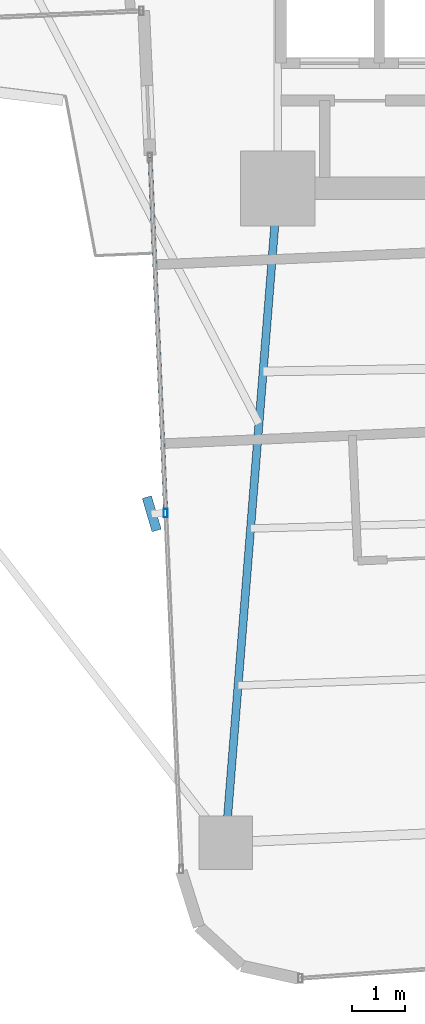
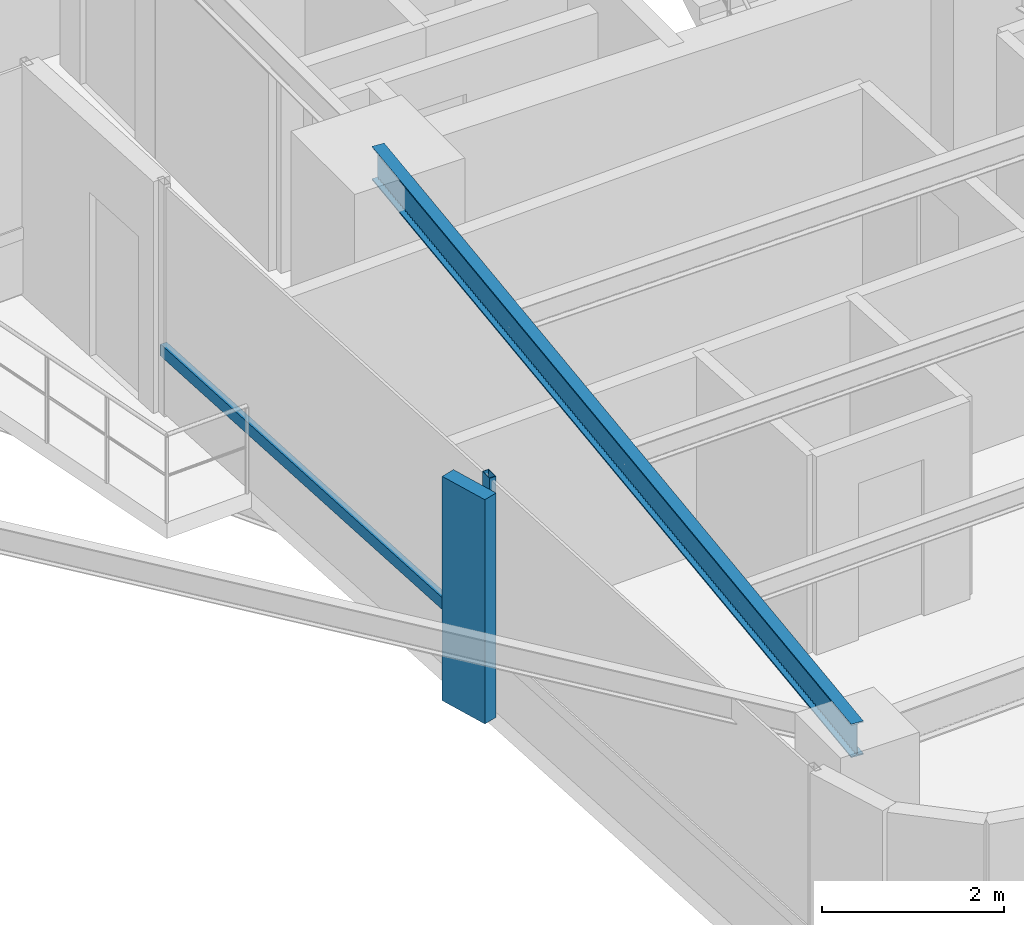
# One storey, part 4 of 26: 3 members, 1 beam, 1 element without a shape of its own.
"""IFC4 building model written with IfcOpenShell, lengths in metres."""

import ifcopenshell
import ifcopenshell.guid

model = None  # the IFC model being written
_history = None  # IfcOwnerHistory: only IFC2X3 demands one
_inside = {}  # id of a spatial element -> (the spatial element, [elements in it])
_under = {}  # id of a project, library or spatial element -> (it, [spatial elements below it])
_declared = {}  # id of a project -> (the project, [libraries it declares])
_typed = {}  # id of a type object -> (the type object, [elements of that type])
_made_of = {}  # id of a material, layer set ... -> (it, [elements and type objects made of it])


def new_model(schema):
    """Start an empty IFC model of exactly this schema.

    Asked for "IFC4X3", IfcOpenShell would pick the latest addendum, in which some entities
    have other attributes; the version numbers below select the first issue.
    IFC2X3 requires an IfcOwnerHistory on every rooted entity: one is made here for all.
    """
    global model, _history
    if schema == "IFC4X3":
        model = ifcopenshell.file(schema_version=(4, 3, 0, 0))
    else:
        model = ifcopenshell.file(schema=schema)
    _inside.clear()
    _under.clear()
    _declared.clear()
    _typed.clear()
    _made_of.clear()
    _history = None
    if model.schema == "IFC2X3":
        org = make("IfcOrganization", Name="unknown")
        user = make(
            "IfcPersonAndOrganization",
            ThePerson=make("IfcPerson", FamilyName="unknown"),
            TheOrganization=org,
        )
        app = make(
            "IfcApplication",
            ApplicationDeveloper=org,
            Version="unknown",
            ApplicationFullName="unknown",
            ApplicationIdentifier="unknown",
        )
        _history = make(
            "IfcOwnerHistory",
            OwningUser=user,
            OwningApplication=app,
            ChangeAction="ADDED",
            CreationDate=0,
        )
    return model


def make(cls, **values):
    """One entity of the class cls with the attributes given. An attribute that is None is left unset."""
    return model.create_entity(
        cls, **{name: value for name, value in values.items() if value is not None}
    )


def rooted(cls, **values):
    """An entity with a GlobalId (a new one), such as an element, a storey or a relation."""
    return make(cls, GlobalId=ifcopenshell.guid.new(), OwnerHistory=_history, **values)


def si_unit(unit_type, name, prefix=None):
    """IfcSIUnit, for example si_unit("LENGTHUNIT", "METRE", prefix="MILLI")."""
    return make("IfcSIUnit", UnitType=unit_type, Prefix=prefix, Name=name)


def assignment(units):
    """IfcUnitAssignment: the units of a project."""
    return None if units is None else make("IfcUnitAssignment", Units=units)


def point(xyz):
    """IfcCartesianPoint."""
    return None if xyz is None else make("IfcCartesianPoint", Coordinates=xyz)


def direction(xyz):
    """IfcDirection."""
    return None if xyz is None else make("IfcDirection", DirectionRatios=xyz)


def frame(location, z_axis=None, x_axis=None):
    """IfcAxis2Placement3D, a coordinate frame: its origin and axes. An axis left out is left unset."""
    return make(
        "IfcAxis2Placement3D",
        Location=point(location),
        Axis=direction(z_axis),
        RefDirection=direction(x_axis),
    )


def frame_2d(location, x_axis=None):
    """IfcAxis2Placement2D, a coordinate frame in the plane: its origin and x axis."""
    return make(
        "IfcAxis2Placement2D", Location=point(location), RefDirection=direction(x_axis)
    )


def origin():
    """The frame at (0, 0, 0) with its axes left unset."""
    return frame((0.0, 0.0, 0.0))


def origin_2d():
    """The frame at (0, 0) in the plane with its x axis left unset."""
    return frame_2d((0.0, 0.0))


def place(relative_to, where):
    """IfcLocalPlacement: puts the frame where relative to a parent placement (None: the world)."""
    return make(
        "IfcLocalPlacement", PlacementRelTo=relative_to, RelativePlacement=where
    )


def context(
    kind, dimensions, precision=None, world=None, true_north=None, identifier=None
):
    """IfcGeometricRepresentationContext, for example the 3D "Model" context."""
    return make(
        "IfcGeometricRepresentationContext",
        ContextIdentifier=identifier,
        ContextType=kind,
        CoordinateSpaceDimension=dimensions,
        Precision=precision,
        WorldCoordinateSystem=world,
        TrueNorth=true_north,
    )


def subcontext(parent, identifier, kind, view, scale=None):
    """IfcGeometricRepresentationSubContext, for example "Body" below "Model"."""
    return make(
        "IfcGeometricRepresentationSubContext",
        ContextIdentifier=identifier,
        ContextType=kind,
        ParentContext=parent,
        TargetScale=scale,
        TargetView=view,
    )


def project(units=None, contexts=None):
    """IfcProject with its units and contexts."""
    return rooted(
        "IfcProject",
        Name="project",
        RepresentationContexts=contexts,
        UnitsInContext=assignment(units),
    )


def spatial(cls, under=None, at=None, **own):
    """A site, building, storey or space (cls), placed at a placement, below another one or the project."""
    s = rooted(cls, ObjectPlacement=at, **own)
    if under is not None:
        _under.setdefault(under.id(), (under, []))[1].append(s)
    return s


def profile(cls, at=None, kind="AREA", **sizes):
    """A parametric profile (cls). Its sizes go by their IFC names, for example OverallWidth=200.0."""
    return make(cls, ProfileType=kind, Position=at, **sizes)


def rectangle(**sizes):
    """IfcRectangleProfileDef."""
    return profile("IfcRectangleProfileDef", **sizes)


def hollow_rectangle(**sizes):
    """IfcRectangleHollowProfileDef."""
    return profile("IfcRectangleHollowProfileDef", **sizes)


def i_section(**sizes):
    """IfcIShapeProfileDef."""
    return profile("IfcIShapeProfileDef", **sizes)


def extrude(swept, where, along, depth):
    """IfcExtrudedAreaSolid: the profile swept, set in the frame where, extruded along a direction by depth."""
    return make(
        "IfcExtrudedAreaSolid",
        SweptArea=swept,
        Position=where,
        ExtrudedDirection=direction(along),
        Depth=depth,
    )


def shape(context_of_items, identifier, shape_type, items):
    """IfcShapeRepresentation: the items that make up one representation, for example the "Body"."""
    return make(
        "IfcShapeRepresentation",
        ContextOfItems=context_of_items,
        RepresentationIdentifier=identifier,
        RepresentationType=shape_type,
        Items=items,
    )


def source(mapping_origin, context_of_items, identifier, shape_type, items):
    """IfcRepresentationMap: a shape defined once, which mapped items show again and again."""
    return make(
        "IfcRepresentationMap",
        MappingOrigin=mapping_origin,
        MappedRepresentation=shape(context_of_items, identifier, shape_type, items),
    )


def transform(
    local_origin,
    x_axis=None,
    y_axis=None,
    z_axis=None,
    scale=None,
    scale2=None,
    scale3=None,
    uniform=True,
):
    """IfcCartesianTransformationOperator3D, or its non-uniform kind. x_axis, y_axis, z_axis: its Axis1, 2, 3."""
    if uniform:
        return make(
            "IfcCartesianTransformationOperator3D",
            Axis1=direction(x_axis),
            Axis2=direction(y_axis),
            LocalOrigin=point(local_origin),
            Scale=scale,
            Axis3=direction(z_axis),
        )
    return make(
        "IfcCartesianTransformationOperator3DnonUniform",
        Axis1=direction(x_axis),
        Axis2=direction(y_axis),
        LocalOrigin=point(local_origin),
        Scale=scale,
        Axis3=direction(z_axis),
        Scale2=scale2,
        Scale3=scale3,
    )


def mapped(mapping_source, mapping_target):
    """IfcMappedItem: shows the shape of a source again, moved by a transform."""
    return make(
        "IfcMappedItem", MappingSource=mapping_source, MappingTarget=mapping_target
    )


def material(Name=None, Category=None):
    """IfcMaterial."""
    return make("IfcMaterial", Name=Name, Category=Category)


def material_profile(
    of_material, cross_section, Name=None, Category=None, Priority=None
):
    """IfcMaterialProfile: a cross section and its material."""
    return make(
        "IfcMaterialProfile",
        Name=Name,
        Material=of_material,
        Profile=cross_section,
        Priority=Priority,
        Category=Category,
    )


def profile_set(profiles, Name=None, composite=None):
    """IfcMaterialProfileSet."""
    return make(
        "IfcMaterialProfileSet",
        Name=Name,
        MaterialProfiles=profiles,
        CompositeProfile=composite,
    )


def made_of(thing, what):
    """Note that an element or type object is made of a material, layer set ...; save() writes the relation."""
    if what is not None:
        _made_of.setdefault(what.id(), (what, []))[1].append(thing)
    return thing


def type_object(cls, material=None, **own):
    """A type object (cls), such as IfcWallType, which elements share."""
    return made_of(rooted(cls, **own), material)


def element(
    cls,
    number,
    at=None,
    inside=None,
    cuts=None,
    type_object=None,
    material=None,
    context=None,
    identifier="Body",
    shape_type=None,
    held_by="IfcProductDefinitionShape",
    body=None,
    shapes=None,
    **own,
):
    """One element of the class cls, such as IfcWall. Its Tag is "e" and its number.

    at: its placement. inside: the storey or other place that contains it. cuts: it is an
    opening in that element (IfcRelVoidsElement). A single representation is given by context,
    identifier, shape_type and body (its items); several are given by shapes. held_by: the class
    of the entity that holds the representations. save() writes the other relations.
    """
    e = rooted(cls, Tag="e%d" % number, ObjectPlacement=at, **own)
    if body is not None:
        shapes = [shape(context, identifier, shape_type, body)]
    if shapes is not None:
        e.Representation = make(held_by, Representations=shapes)
    if inside is not None:
        _inside.setdefault(inside.id(), (inside, []))[1].append(e)
    if cuts is not None:
        rooted(
            "IfcRelVoidsElement", RelatingBuildingElement=cuts, RelatedOpeningElement=e
        )
    if type_object is not None:
        _typed.setdefault(type_object.id(), (type_object, []))[1].append(e)
    return made_of(e, material)


def aggregate(whole, parts):
    """IfcRelAggregates: a whole, such as a stair, and the parts it consists of."""
    return rooted("IfcRelAggregates", RelatingObject=whole, RelatedObjects=parts)


def save(model, path):
    """Write the relations noted so far, then the file.

    IfcRelAggregates (storeys below a building ...), IfcRelContainedInSpatialStructure (elements
    in a storey), IfcRelDefinesByType, IfcRelAssociatesMaterial and IfcRelDeclares: one each for
    every whole, place, type object, material and project.
    """
    for whole, parts in _under.values():
        aggregate(whole, parts)
    for where, things in _inside.values():
        rooted(
            "IfcRelContainedInSpatialStructure",
            RelatedElements=things,
            RelatingStructure=where,
        )
    for kind, things in _typed.values():
        rooted("IfcRelDefinesByType", RelatedObjects=things, RelatingType=kind)
    for what, things in _made_of.values():
        rooted("IfcRelAssociatesMaterial", RelatedObjects=things, RelatingMaterial=what)
    for by, libraries in _declared.values():
        rooted("IfcRelDeclares", RelatingContext=by, RelatedDefinitions=libraries)
    model.write(path)


model = new_model("IFC4")

# Units and contexts
model_context = context("Model", 3, precision=1e-05, world=origin(), true_north=direction((0.0, 1.0)))
body_context = subcontext(model_context, "Body", "Model", "MODEL_VIEW")
ifc_project = project(units=[si_unit("LENGTHUNIT", "METRE"), si_unit("AREAUNIT", "SQUARE_METRE"), si_unit("VOLUMEUNIT", "CUBIC_METRE"), si_unit("PLANEANGLEUNIT", "RADIAN"), si_unit("MASSUNIT", "GRAM", prefix="KILO")], contexts=[model_context])

# Site, building, storey
site_placement = place(None, origin())
site = spatial("IfcSite", under=ifc_project, at=site_placement, CompositionType="ELEMENT")
building_placement = place(site_placement, origin())
building = spatial("IfcBuilding", under=site, at=building_placement, Name="Sahyath Konkavel Grand Hotel", CompositionType="ELEMENT")
storey_placement = place(building_placement, frame((0.0, 0.0, 100.25)))
storey = spatial("IfcBuildingStorey", under=building, at=storey_placement, Name="L27", CompositionType="ELEMENT", Elevation=100.25)

# Beam
ifc_material_1 = material(Name="Steel E350", Category="steel")
ifc_material_profile_1 = material_profile(ifc_material_1, i_section(OverallWidth=0.14990234375, OverallDepth=0.449951171875, WebThickness=0.009521484375, FlangeThickness=0.017333984375, FilletRadius=0.014892578125, at=origin_2d()), Name="ISMB 450")
ifc_profile_set_1 = profile_set([ifc_material_profile_1], Name="Steel E350")
beam_type = type_object("IfcBeamType", Name="BM-ISMB450", PredefinedType="BEAM", material=ifc_profile_set_1)
shared_shape_1 = source(origin(), body_context, "Body", "SweptSolid", [
    extrude(i_section(OverallWidth=0.14990234375, OverallDepth=0.449951171875, WebThickness=0.009521484375, FlangeThickness=0.017333984375, FilletRadius=0.014892578125, at=origin_2d()), origin(), (0.0, 0.0, 1.0), 12.2685546875),
])
beam_placement = place(storey_placement, frame((-3.800048828125, -10.199951171875, 2.885009765625), z_axis=(-0.079558563357, -0.996830193662, 0.0), x_axis=(0.996830193662, -0.079558563357, 0.0)))
element("IfcBeam", 1, at=beam_placement, inside=storey, type_object=beam_type, Name="L27 Cruciform Radial Girder SA", PredefinedType="BEAM", context=body_context, shape_type="MappedRepresentation", body=[
    mapped(shared_shape_1, transform((0.0, 0.0, 0.0), scale=1.0)),
])

# Curtain wall, members
ifc_material_2 = material(Name="Anodised Bronze Aluminium & Low-E Glazing", Category="aluminium")
curtain_wall_type = type_object("IfcCurtainWallType", Name="CW-ZONE2", PredefinedType="NOTDEFINED", material=ifc_material_2)
curtain_wall_placement = place(storey_placement, origin())
curtain_wall = element("IfcCurtainWall", 2, at=curtain_wall_placement, inside=storey, type_object=curtain_wall_type, Name="L27 Unitised Curtain Wall F24", PredefinedType="NOTDEFINED")
ifc_material_3 = material(Name="Warm Buff Sandstone Cladding on Concrete C50/60", Category="masonry")
ifc_material_profile_2 = material_profile(ifc_material_3, rectangle(XDim=0.179931640625, YDim=0.64990234375, at=origin_2d()), Name="FIN 180x650")
ifc_profile_set_2 = profile_set([ifc_material_profile_2], Name="Warm Buff Sandstone Cladding on Concrete C50/60")
member_type_1 = type_object("IfcMemberType", Name="FIN-SANDSTONE-650", PredefinedType="MULLION", material=ifc_profile_set_2)
shared_shape_2 = source(origin(), body_context, "Body", "SweptSolid", [
    extrude(rectangle(XDim=0.179931640625, YDim=0.64990234375, at=origin_2d()), origin(), (0.0, 0.0, 1.0), 3.010009765625),
])
member_1_placement = place(storey_placement, frame((-6.155517578125, -16.283935546875, 0.050048828125), z_axis=(0.0, 0.0, 1.0), x_axis=(0.959854262938, 0.280499187022, 0.0)))
member_1 = element("IfcMember", 3, at=member_1_placement, type_object=member_type_1, Name="L27 Sandstone Vertical Solar Fin FIN F24-1", PredefinedType="MULLION", context=body_context, shape_type="MappedRepresentation", body=[
    mapped(shared_shape_2, transform((0.0, 0.0, 0.0), scale=1.0)),
])
ifc_material_4 = material(Name="Anodised Bronze Aluminium", Category="aluminium")
ifc_material_profile_3 = material_profile(ifc_material_4, hollow_rectangle(XDim=0.080078125, YDim=0.159912109375, WallThickness=0.006103515625, at=origin_2d()), Name="RHS 160x80x6")
ifc_profile_set_3 = profile_set([ifc_material_profile_3], Name="Anodised Bronze Aluminium")
member_type_2 = type_object("IfcMemberType", Name="CW-MUL-160", PredefinedType="MULLION", material=ifc_profile_set_3)
shared_shape_3 = source(origin(), body_context, "Body", "SweptSolid", [
    extrude(hollow_rectangle(XDim=0.080078125, YDim=0.159912109375, WallThickness=0.006103515625, at=origin_2d()), origin(), (0.0, 0.0, 1.0), 3.110107421875),
])
member_2_placement = place(storey_placement, frame((-5.895751953125, -16.272705078125, 0.0), z_axis=(0.0, 0.0, 1.0), x_axis=(1.0, 0.0, 0.0)))
member_2 = element("IfcMember", 4, at=member_2_placement, type_object=member_type_2, Name="L27 Curtain Wall Mullion F24-1", PredefinedType="MULLION", context=body_context, shape_type="MappedRepresentation", body=[
    mapped(shared_shape_3, transform((0.0, 0.0, 0.0), scale=1.0)),
])
ifc_material_profile_4 = material_profile(ifc_material_4, hollow_rectangle(XDim=0.080078125, YDim=0.159912109375, WallThickness=0.006103515625, at=origin_2d()), Name="RHS 160x80x6")
ifc_profile_set_4 = profile_set([ifc_material_profile_4], Name="Anodised Bronze Aluminium")
member_type_3 = type_object("IfcMemberType", Name="CW-TRN-160", PredefinedType="USERDEFINED", material=ifc_profile_set_4)
shared_shape_4 = source(origin(), body_context, "Body", "SweptSolid", [
    extrude(hollow_rectangle(XDim=0.080078125, YDim=0.159912109375, WallThickness=0.006103515625, at=origin_2d()), origin(), (0.0, 0.0, 1.0), 6.66015625),
])
member_3_placement = place(storey_placement, frame((-6.186279296875, -9.618896484375, 0.85009765625), z_axis=(0.043621753165, -0.999048118286, 0.0), x_axis=(0.999048118286, 0.043621753165, 0.0)))
member_3 = element("IfcMember", 5, at=member_3_placement, type_object=member_type_3, Name="L27 Curtain Wall Transom F24-0-spandrel", ObjectType="TRANSOM", PredefinedType="USERDEFINED", context=body_context, shape_type="MappedRepresentation", body=[
    mapped(shared_shape_4, transform((0.0, 0.0, 0.0), scale=1.0)),
])
aggregate(curtain_wall, [member_2, member_1, member_3])

save(model, "model.ifc")
